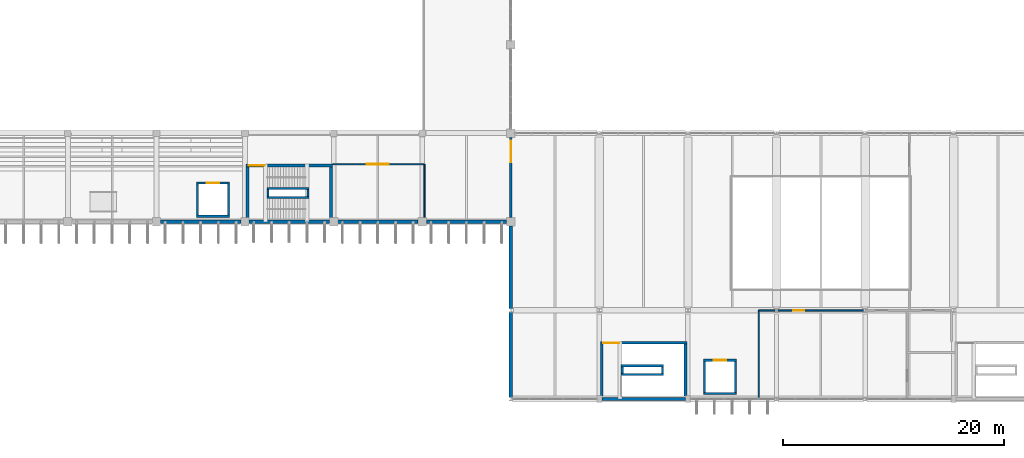
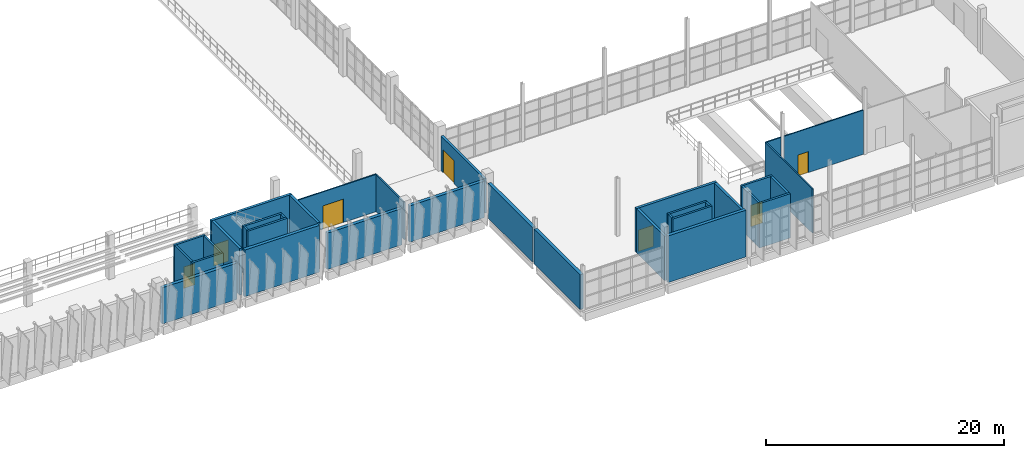
# One storey, part 70 of 93: 35 walls, 7 doors, 7 openings.
"""IFC4 building model written with IfcOpenShell, lengths in metres."""

from ifc_helpers import new_model, si_unit, direction, frame, frame_2d, origin, place, context, subcontext, project, spatial, rectangle, extrude, material, layer, layer_set, type_object, element, fill, save


model = new_model("IFC4")

# Units and contexts
model_context = context("Model", 3, precision=1e-05, world=origin(), true_north=direction((0.0, 1.0)))
body_context = subcontext(model_context, "Body", "Model", "MODEL_VIEW")
ifc_project = project(units=[si_unit("LENGTHUNIT", "METRE"), si_unit("AREAUNIT", "SQUARE_METRE"), si_unit("VOLUMEUNIT", "CUBIC_METRE"), si_unit("PLANEANGLEUNIT", "RADIAN"), si_unit("MASSUNIT", "GRAM", prefix="KILO")], contexts=[model_context])

# Site, building, storey
site_placement = place(None, origin())
site = spatial("IfcSite", under=ifc_project, at=site_placement, CompositionType="ELEMENT")
building_placement = place(site_placement, origin())
building = spatial("IfcBuilding", under=site, at=building_placement, Name="Drelvana Railside Aquatics Centre", CompositionType="ELEMENT")
storey_placement = place(building_placement, frame((0.0, 0.0, 5.39990234375)))
storey = spatial("IfcBuildingStorey", under=building, at=storey_placement, Name="L01", CompositionType="ELEMENT", Elevation=5.39990234375)

# Wall, opening, door
ifc_material_1 = material(Name="Autoclaved aerated concrete masonry", Category="masonry")
ifc_layer_1 = layer(ifc_material_1, 0.22509765625, Name="Autoclaved aerated concrete masonry")
ifc_layer_set_1 = layer_set([ifc_layer_1], Name="Autoclaved aerated concrete masonry")
wall_type_1 = type_object("IfcWallType", Name="WL-COMP-225", PredefinedType="STANDARD", material=ifc_layer_set_1)
wall_1_placement = place(storey_placement, frame((96.0, 16.376953125, 0.0), z_axis=(0.0, 0.0, 1.0), x_axis=(0.0, 1.0, 0.0)))
wall_1 = element("IfcWall", 1, at=wall_1_placement, inside=storey, type_object=wall_type_1, Name="L01 Foyer-Concourse wall", PredefinedType="STANDARD", context=body_context, shape_type="SweptSolid", body=[
    extrude(rectangle(XDim=7.24609375, YDim=0.22509765625, at=frame_2d((3.623046875, 0.0))), origin(), (0.0, 0.0, 1.0), 3.570068359375),
])
opening_1_placement = place(wall_1_placement, frame((5.02294921875, 0.0, 0.0)))
opening_1 = element("IfcOpeningElement", 2, at=opening_1_placement, cuts=wall_1, Name="Opening D-16-100", PredefinedType="OPENING", context=body_context, shape_type="SweptSolid", body=[
    extrude(rectangle(XDim=1.89990234375, YDim=2.35009765625, at=frame_2d((0.949951171875, 1.175048828125))), frame((0.0, 0.12255859375, 0.0), z_axis=(0.0, -1.0, 0.0), x_axis=(1.0, 0.0, 0.0)), (0.0, 0.0, 1.0), 0.2451171875),
])
ifc_material_2 = material(Name="Concourse compartment double door", Category="wood")
door_type_1 = type_object("IfcDoorType", Name="DR-INT-COMP-1900x2350", OperationType="DOUBLE_DOOR_SINGLE_SWING", PredefinedType="DOOR", material=ifc_material_2)
door_1_placement = place(opening_1_placement, origin())
door_1 = element("IfcDoor", 3, at=door_1_placement, inside=storey, type_object=door_type_1, Name="Hospitality to Spectator Concourse door D-16-100", OperationType="DOUBLE_DOOR_SINGLE_SWING", OverallHeight=2.35009765625, OverallWidth=1.89990234375, PredefinedType="DOOR", context=body_context, shape_type="SweptSolid", body=[
    extrude(rectangle(XDim=1.89990234375, YDim=2.35009765625, at=frame_2d((0.949951171875, 1.175048828125))), frame((0.0, 0.02490234375, 0.0), z_axis=(0.0, -1.0, 0.0), x_axis=(1.0, 0.0, 0.0)), (0.0, 0.0, 1.0), 0.050048828125),
])
fill(opening_1, door_1)

ifc_material_3 = material(Name="Concrete C40/50", Category="concrete")
ifc_layer_2 = layer(ifc_material_3, 0.25, Name="Concrete C40/50")
ifc_layer_set_2 = layer_set([ifc_layer_2], Name="Concrete C40/50")
wall_type_2 = type_object("IfcWallType", Name="WL-CORE-250", PredefinedType="SHEAR", material=ifc_layer_set_2)
wall_2_placement = place(storey_placement, frame((72.10009765625, 21.074951171875, 0.0), z_axis=(0.0, 0.0, 1.0), x_axis=(1.0, 0.0, 0.0)))
wall_2 = element("IfcWall", 4, at=wall_2_placement, inside=storey, type_object=wall_type_2, Name="Core 2 South-East Pool Hall N core wall (L01)", PredefinedType="SHEAR", context=body_context, shape_type="SweptSolid", body=[
    extrude(rectangle(XDim=7.7998046875, YDim=0.25, at=frame_2d((3.89990234375, 0.0))), origin(), (0.0, 0.0, 1.0), 4.800048828125),
])
opening_2_placement = place(wall_2_placement, frame((0.25, 0.0, 0.0)))
opening_2 = element("IfcOpeningElement", 5, at=opening_2_placement, cuts=wall_2, Name="Opening D-01-011", PredefinedType="OPENING", context=body_context, shape_type="SweptSolid", body=[
    extrude(rectangle(XDim=1.449951171875, YDim=2.199951171875, at=frame_2d((0.72509765625, 1.10009765625))), frame((0.0, 0.135009765625, 0.0), z_axis=(0.0, -1.0, 0.0), x_axis=(1.0, 0.0, 0.0)), (0.0, 0.0, 1.0), 0.27001953125),
])
ifc_material_4 = material(Name="Fire-rated steel and vision-panel door", Category="steel")
door_type_2 = type_object("IfcDoorType", Name="DR-INT-STAIR-1450x2200", OperationType="DOUBLE_DOOR_SINGLE_SWING", PredefinedType="DOOR", material=ifc_material_4)
door_2_placement = place(opening_2_placement, origin())
door_2 = element("IfcDoor", 6, at=door_2_placement, inside=storey, type_object=door_type_2, Name="Stair ST-02 lobby door D-01-011", OperationType="DOUBLE_DOOR_SINGLE_SWING", OverallHeight=2.199951171875, OverallWidth=1.449951171875, PredefinedType="DOOR", context=body_context, shape_type="SweptSolid", body=[
    extrude(rectangle(XDim=1.449951171875, YDim=2.199951171875, at=frame_2d((0.72509765625, 1.10009765625))), frame((0.0, 0.02490234375, 0.0), z_axis=(0.0, -1.0, 0.0), x_axis=(1.0, 0.0, 0.0)), (0.0, 0.0, 1.0), 0.050048828125),
])
fill(opening_2, door_2)

# Walls
for number, where, z_axis, x_axis, name in (
    (7, (72.22509765625, 16.25, 0.0), (0.0, 0.0, 1.0), (0.0, 1.0, 0.0), "Core 2 South-East Pool Hall W core wall (L01)"),
    (8, (79.77490234375, 16.25, 0.0), (0.0, 0.0, 1.0), (0.0, 1.0, 0.0), "Core 2 South-East Pool Hall E core wall (L01)"),
):
    element("IfcWall", number, at=place(storey_placement, frame(where, z_axis=z_axis, x_axis=x_axis)), inside=storey, type_object=wall_type_2, Name=name, PredefinedType="SHEAR", context=body_context, shape_type="SweptSolid", body=[
        extrude(rectangle(XDim=4.699951171875, YDim=0.25, at=frame_2d((2.35009765625, 0.0))), origin(), (0.0, 0.0, 1.0), 4.800048828125),
    ])

# Wall, opening, door
wall_3_placement = place(storey_placement, frame((104.10009765625, 5.074951171875, 0.0), z_axis=(0.0, 0.0, 1.0), x_axis=(1.0, 0.0, 0.0)))
wall_3 = element("IfcWall", 9, at=wall_3_placement, inside=storey, type_object=wall_type_2, Name="Core 4 Entrance Foyer South N core wall (L01)", PredefinedType="SHEAR", context=body_context, shape_type="SweptSolid", body=[
    extrude(rectangle(XDim=7.7998046875, YDim=0.25, at=frame_2d((3.89990234375, 0.0))), origin(), (0.0, 0.0, 1.0), 4.550048828125),
])
opening_3_placement = place(wall_3_placement, frame((0.25, 0.0, 0.0)))
opening_3 = element("IfcOpeningElement", 10, at=opening_3_placement, cuts=wall_3, Name="Opening D-01-027", PredefinedType="OPENING", context=body_context, shape_type="SweptSolid", body=[
    extrude(rectangle(XDim=1.449951171875, YDim=2.199951171875, at=frame_2d((0.72509765625, 1.10009765625))), frame((0.0, 0.135009765625, 0.0), z_axis=(0.0, -1.0, 0.0), x_axis=(1.0, 0.0, 0.0)), (0.0, 0.0, 1.0), 0.27001953125),
])
door_3_placement = place(opening_3_placement, origin())
door_3 = element("IfcDoor", 11, at=door_3_placement, inside=storey, type_object=door_type_2, Name="Stair ST-04 lobby door D-01-027", OperationType="DOUBLE_DOOR_SINGLE_SWING", OverallHeight=2.199951171875, OverallWidth=1.449951171875, PredefinedType="DOOR", context=body_context, shape_type="SweptSolid", body=[
    extrude(rectangle(XDim=1.449951171875, YDim=2.199951171875, at=frame_2d((0.72509765625, 1.10009765625))), frame((0.0, 0.02490234375, 0.0), z_axis=(0.0, -1.0, 0.0), x_axis=(1.0, 0.0, 0.0)), (0.0, 0.0, 1.0), 0.050048828125),
])
fill(opening_3, door_3)

# Walls
for number, where, z_axis, x_axis, name in (
    (12, (104.22509765625, 0.25, 0.0), (0.0, 0.0, 1.0), (0.0, 1.0, 0.0), "Core 4 Entrance Foyer South W core wall (L01)"),
    (13, (111.77490234375, 0.25, 0.0), (0.0, 0.0, 1.0), (0.0, 1.0, 0.0), "Core 4 Entrance Foyer South E core wall (L01)"),
):
    element("IfcWall", number, at=place(storey_placement, frame(where, z_axis=z_axis, x_axis=x_axis)), inside=storey, type_object=wall_type_2, Name=name, PredefinedType="SHEAR", context=body_context, shape_type="SweptSolid", body=[
        extrude(rectangle(XDim=4.699951171875, YDim=0.25, at=frame_2d((2.35009765625, 0.0))), origin(), (0.0, 0.0, 1.0), 4.550048828125),
    ])
ifc_layer_3 = layer(ifc_material_3, 0.300048828125, Name="Concrete C40/50")
ifc_layer_set_3 = layer_set([ifc_layer_3], Name="Concrete C40/50")
wall_type_3 = type_object("IfcWallType", Name="WL-CORE-300", PredefinedType="SHEAR", material=ifc_layer_set_3)
wall_4_placement = place(storey_placement, frame((72.37109375, 16.0, 0.0), z_axis=(0.0, 0.0, 1.0), x_axis=(1.0, 0.0, 0.0)))
element("IfcWall", 14, at=wall_4_placement, inside=storey, type_object=wall_type_3, Name="Pool Hall south L01 core shear wall 8", PredefinedType="SHEAR", context=body_context, shape_type="SweptSolid", body=[
    extrude(rectangle(XDim=7.2578125, YDim=0.300048828125, at=frame_2d((3.62890625, 0.0))), origin(), (0.0, 0.0, 1.0), 4.800048828125),
])
wall_5_placement = place(storey_placement, frame((104.220947265625, 0.0, 0.0), z_axis=(0.0, 0.0, 1.0), x_axis=(1.0, 0.0, 0.0)))
element("IfcWall", 15, at=wall_5_placement, inside=storey, type_object=wall_type_3, Name="Core south L01 shear wall 104", PredefinedType="SHEAR", context=body_context, shape_type="SweptSolid", body=[
    extrude(rectangle(XDim=7.55810546875, YDim=0.300048828125, at=frame_2d((3.779052734375, 0.0))), origin(), (0.0, 0.0, 1.0), 4.800048828125),
])

# Wall, opening, door
ifc_material_5 = material(Name="Acoustic twin-stud gypsum partition", Category="gypsum")
ifc_layer_4 = layer(ifc_material_5, 0.1201171875, Name="Acoustic twin-stud gypsum partition")
ifc_layer_set_4 = layer_set([ifc_layer_4], Name="Acoustic twin-stud gypsum partition")
wall_type_4 = type_object("IfcWallType", Name="WL-DRY-120", PredefinedType="PARTITIONING", material=ifc_layer_set_4)
wall_6_placement = place(storey_placement, frame((79.89990234375, 21.199951171875, 0.0), z_axis=(0.0, 0.0, 1.0), x_axis=(1.0, 0.0, 0.0)))
wall_6 = element("IfcWall", 16, at=wall_6_placement, inside=storey, type_object=wall_type_4, Name="L01 Kiosk north wall", PredefinedType="PARTITIONING", context=body_context, shape_type="SweptSolid", body=[
    extrude(rectangle(XDim=8.300048828125, YDim=0.1201171875, at=frame_2d((4.14990234375, 0.0))), origin(), (0.0, 0.0, 1.0), 3.830078125),
])
opening_4_placement = place(wall_6_placement, frame((3.10009765625, 0.0, 0.0)))
opening_4 = element("IfcOpeningElement", 17, at=opening_4_placement, cuts=wall_6, Name="Opening D-06-146", PredefinedType="OPENING", context=body_context, shape_type="SweptSolid", body=[
    extrude(rectangle(XDim=2.0, YDim=2.39990234375, at=frame_2d((1.0, 1.199951171875))), frame((0.0, 0.070068359375, 0.0), z_axis=(0.0, -1.0, 0.0), x_axis=(1.0, 0.0, 0.0)), (0.0, 0.0, 1.0), 0.14013671875),
])
ifc_material_6 = material(Name="Glazed bronze-aluminium concourse door", Category="aluminium")
door_type_3 = type_object("IfcDoorType", Name="DR-INT-HALL-2000x2400", OperationType="DOUBLE_DOOR_SINGLE_SWING", PredefinedType="DOOR", material=ifc_material_6)
door_4_placement = place(opening_4_placement, origin())
door_4 = element("IfcDoor", 18, at=door_4_placement, inside=storey, type_object=door_type_3, Name="Concourse Refreshment Kiosk door D-06-146", OperationType="DOUBLE_DOOR_SINGLE_SWING", OverallHeight=2.39990234375, OverallWidth=2.0, PredefinedType="DOOR", context=body_context, shape_type="SweptSolid", body=[
    extrude(rectangle(XDim=2.0, YDim=2.39990234375, at=frame_2d((1.0, 1.199951171875))), frame((0.0, 0.02490234375, 0.0), z_axis=(0.0, -1.0, 0.0), x_axis=(1.0, 0.0, 0.0)), (0.0, 0.0, 1.0), 0.050048828125),
])
fill(opening_4, door_4)

# Walls
wall_7_placement = place(storey_placement, frame((88.199951171875, 16.376953125, 0.0), z_axis=(0.0, 0.0, 1.0), x_axis=(0.0, 1.0, 0.0)))
element("IfcWall", 19, at=wall_7_placement, inside=storey, type_object=wall_type_4, Name="L01 Kiosk east wall", PredefinedType="PARTITIONING", context=body_context, shape_type="SweptSolid", body=[
    extrude(rectangle(XDim=4.822998046875, YDim=0.1201171875, at=frame_2d((2.41162109375, 0.0))), origin(), (0.0, 0.0, 1.0), 3.830078125),
])
wall_8_placement = place(storey_placement, frame((118.39990234375, 8.0, 0.0), z_axis=(0.0, 0.0, 1.0), x_axis=(1.0, 0.0, 0.0)))
element("IfcWall", 20, at=wall_8_placement, inside=storey, type_object=wall_type_4, Name="L01 Gallery south partition", PredefinedType="PARTITIONING", context=body_context, shape_type="SweptSolid", body=[
    extrude(rectangle(XDim=1.447998046875, YDim=0.1201171875, at=frame_2d((0.72412109375, 0.0))), origin(), (0.0, 0.0, 1.0), 4.53515625),
])

# Wall, opening, door
wall_9_placement = place(storey_placement, frame((120.152099609375, 8.0, 0.0), z_axis=(0.0, 0.0, 1.0), x_axis=(1.0, 0.0, 0.0)))
wall_9 = element("IfcWall", 21, at=wall_9_placement, inside=storey, type_object=wall_type_4, Name="L01 Gallery south partition", PredefinedType="PARTITIONING", context=body_context, shape_type="SweptSolid", body=[
    extrude(rectangle(XDim=7.69580078125, YDim=0.1201171875, at=frame_2d((3.847900390625, 0.0))), origin(), (0.0, 0.0, 1.0), 4.53515625),
])
opening_5_placement = place(wall_9_placement, frame((1.347900390625, 0.0, 0.0)))
opening_5 = element("IfcOpeningElement", 22, at=opening_5_placement, cuts=wall_9, Name="Opening D-09-148", PredefinedType="OPENING", context=body_context, shape_type="SweptSolid", body=[
    extrude(rectangle(XDim=1.0, YDim=2.14990234375, at=frame_2d((0.5, 1.074951171875))), frame((0.0, 0.070068359375, 0.0), z_axis=(0.0, -1.0, 0.0), x_axis=(1.0, 0.0, 0.0)), (0.0, 0.0, 1.0), 0.14013671875),
])
ifc_material_7 = material(Name="Hardwood acoustic room door", Category="wood")
door_type_4 = type_object("IfcDoorType", Name="DR-INT-ROOM-1000x2150", OperationType="NOTDEFINED", PredefinedType="DOOR", material=ifc_material_7)
door_5_placement = place(opening_5_placement, origin())
door_5 = element("IfcDoor", 23, at=door_5_placement, inside=storey, type_object=door_type_4, Name="Press Briefing Room west door D-09-148", OperationType="SINGLE_SWING_LEFT", OverallHeight=2.14990234375, OverallWidth=1.0, PredefinedType="DOOR", context=body_context, shape_type="SweptSolid", body=[
    extrude(rectangle(XDim=1.0, YDim=2.14990234375, at=frame_2d((0.5, 1.074951171875))), frame((0.0, 0.02490234375, 0.0), z_axis=(0.0, -1.0, 0.0), x_axis=(1.0, 0.0, 0.0)), (0.0, 0.0, 1.0), 0.050048828125),
])
fill(opening_5, door_5)

# Walls
wall_10_placement = place(storey_placement, frame((118.39990234375, 0.080078125, 0.0), z_axis=(0.0, 0.0, 1.0), x_axis=(0.0, 1.0, 0.0)))
element("IfcWall", 24, at=wall_10_placement, inside=storey, type_object=wall_type_4, Name="Press Briefing Room west wall", PredefinedType="PARTITIONING", context=body_context, shape_type="SweptSolid", body=[
    extrude(rectangle(XDim=7.919921875, YDim=0.1201171875, at=frame_2d((3.9599609375, 0.0))), origin(), (0.0, 0.0, 1.0), 4.53515625),
])
ifc_material_8 = material(Name="Terracotta rainscreen masonry wall", Category="masonry")
ifc_layer_5 = layer(ifc_material_8, 0.31005859375, Name="Terracotta rainscreen masonry wall")
ifc_layer_set_5 = layer_set([ifc_layer_5], Name="Terracotta rainscreen masonry wall")
wall_type_5 = type_object("IfcWallType", Name="WL-EXT-310", PredefinedType="STANDARD", material=ifc_layer_set_5)
for number, where, z_axis, x_axis, name in (
    (25, (64.37109375, 16.0, 0.0), (0.0, 0.0, 1.0), (1.0, 0.0, 0.0), "V1S L01 eyelid spandrel wall 7"),
    (26, (80.37109375, 16.0, 0.0), (0.0, 0.0, 1.0), (1.0, 0.0, 0.0), "V1S L01 eyelid spandrel wall 9"),
    (27, (88.37109375, 16.0, 0.0), (0.0, 0.0, 1.0), (1.0, 0.0, 0.0), "V1S L01 eyelid spandrel wall 10"),
):
    element("IfcWall", number, at=place(storey_placement, frame(where, z_axis=z_axis, x_axis=x_axis)), inside=storey, type_object=wall_type_5, Name=name, PredefinedType="STANDARD", context=body_context, shape_type="SweptSolid", body=[
        extrude(rectangle(XDim=7.2578125, YDim=0.31005859375, at=frame_2d((3.62890625, 0.0))), origin(), (0.0, 0.0, 1.0), 3.72998046875),
    ])
wall_11_placement = place(storey_placement, frame((96.0, 0.135986328125, 0.0), z_axis=(0.0, 0.0, 1.0), x_axis=(0.0, 1.0, 0.0)))
element("IfcWall", 28, at=wall_11_placement, inside=storey, type_object=wall_type_5, Name="Foyer side gable wall", PredefinedType="STANDARD", context=body_context, shape_type="SweptSolid", body=[
    extrude(rectangle(XDim=7.718017578125, YDim=0.31005859375, at=frame_2d((3.85888671875, 0.0))), origin(), (0.0, 0.0, 1.0), 3.570068359375),
])
wall_12_placement = place(storey_placement, frame((96.0, 8.14599609375, 0.0), z_axis=(0.0, 0.0, 1.0), x_axis=(0.0, 1.0, 0.0)))
element("IfcWall", 29, at=wall_12_placement, inside=storey, type_object=wall_type_5, Name="Foyer side gable wall", PredefinedType="STANDARD", context=body_context, shape_type="SweptSolid", body=[
    extrude(rectangle(XDim=7.48291015625, YDim=0.31005859375, at=frame_2d((3.741455078125, 0.0))), origin(), (0.0, 0.0, 1.0), 3.570068359375),
])
ifc_layer_6 = layer(ifc_material_3, 0.199951171875, Name="Concrete C40/50")
ifc_layer_set_6 = layer_set([ifc_layer_6], Name="Concrete C40/50")
wall_type_6 = type_object("IfcWallType", Name="WL-SHFT-200", PredefinedType="SHEAR", material=ifc_layer_set_6)
for number, where, z_axis, x_axis, name in (
    (30, (73.969970703125, 18.199951171875, 0.0), (0.0, 0.0, 1.0), (1.0, 0.0, 0.0), "Stair ST-02 central spine wall A (L01)"),
    (31, (73.969970703125, 19.0, 0.0), (0.0, 0.0, 1.0), (1.0, 0.0, 0.0), "Stair ST-02 central spine wall B (L01)"),
):
    element("IfcWall", number, at=place(storey_placement, frame(where, z_axis=z_axis, x_axis=x_axis)), inside=storey, type_object=wall_type_6, Name=name, PredefinedType="SHEAR", context=body_context, shape_type="SweptSolid", body=[
        extrude(rectangle(XDim=3.820068359375, YDim=0.199951171875, at=frame_2d((1.91015625, 0.0))), origin(), (0.0, 0.0, 1.0), 4.800048828125),
    ])
for number, where, z_axis, x_axis, name in (
    (32, (74.070068359375, 18.300048828125, 0.0), (0.0, 0.0, 1.0), (0.0, 1.0, 0.0), "Stair ST-02 central spine wall W (L01)"),
    (33, (77.68994140625, 18.300048828125, 0.0), (0.0, 0.0, 1.0), (0.0, 1.0, 0.0), "Stair ST-02 central spine wall E (L01)"),
):
    element("IfcWall", number, at=place(storey_placement, frame(where, z_axis=z_axis, x_axis=x_axis)), inside=storey, type_object=wall_type_6, Name=name, PredefinedType="SHEAR", context=body_context, shape_type="SweptSolid", body=[
        extrude(rectangle(XDim=0.599853515625, YDim=0.199951171875, at=frame_2d((0.2998046875, 0.0))), origin(), (0.0, 0.0, 1.0), 4.800048828125),
    ])
wall_13_placement = place(storey_placement, frame((67.60009765625, 16.5, 0.0), z_axis=(0.0, 0.0, 1.0), x_axis=(1.0, 0.0, 0.0)))
element("IfcWall", 34, at=wall_13_placement, inside=storey, type_object=wall_type_6, Name="Lift LP-02 S shaft wall (L01)", PredefinedType="SHEAR", context=body_context, shape_type="SweptSolid", body=[
    extrude(rectangle(XDim=3.0, YDim=0.199951171875, at=frame_2d((1.5, 0.0))), origin(), (0.0, 0.0, 1.0), 4.800048828125),
])

# Wall, opening, door
wall_14_placement = place(storey_placement, frame((67.60009765625, 19.5, 0.0), z_axis=(0.0, 0.0, 1.0), x_axis=(1.0, 0.0, 0.0)))
wall_14 = element("IfcWall", 35, at=wall_14_placement, inside=storey, type_object=wall_type_6, Name="Lift LP-02 N shaft wall (L01)", PredefinedType="SHEAR", context=body_context, shape_type="SweptSolid", body=[
    extrude(rectangle(XDim=3.0, YDim=0.199951171875, at=frame_2d((1.5, 0.0))), origin(), (0.0, 0.0, 1.0), 4.800048828125),
])
opening_6_placement = place(wall_14_placement, frame((0.949951171875, 0.0, 0.0)))
opening_6 = element("IfcOpeningElement", 36, at=opening_6_placement, cuts=wall_14, Name="Opening LD-01-015", PredefinedType="OPENING", context=body_context, shape_type="SweptSolid", body=[
    extrude(rectangle(XDim=1.10009765625, YDim=2.199951171875, at=frame_2d((0.550048828125, 1.10009765625))), frame((0.0, 0.10986328125, 0.0), z_axis=(0.0, -1.0, 0.0), x_axis=(1.0, 0.0, 0.0)), (0.0, 0.0, 1.0), 0.219970703125),
])
ifc_material_9 = material(Name="Stainless steel lift landing sliding door", Category="steel")
door_type_5 = type_object("IfcDoorType", Name="DR-LIFT-LD-1100x2200", OperationType="SLIDING_TO_LEFT", PredefinedType="DOOR", material=ifc_material_9)
door_6_placement = place(opening_6_placement, origin())
door_6 = element("IfcDoor", 37, at=door_6_placement, inside=storey, type_object=door_type_5, Name="Lift LP-02 landing door LD-01-015", OperationType="SLIDING_TO_LEFT", OverallHeight=2.199951171875, OverallWidth=1.10009765625, PredefinedType="DOOR", context=body_context, shape_type="SweptSolid", body=[
    extrude(rectangle(XDim=1.10009765625, YDim=2.199951171875, at=frame_2d((0.550048828125, 1.10009765625))), frame((0.0, 0.02490234375, 0.0), z_axis=(0.0, -1.0, 0.0), x_axis=(1.0, 0.0, 0.0)), (0.0, 0.0, 1.0), 0.050048828125),
])
fill(opening_6, door_6)

# Walls
for number, where, z_axis, x_axis, name in (
    (38, (67.699951171875, 16.60009765625, 0.0), (0.0, 0.0, 1.0), (0.0, 1.0, 0.0), "Lift LP-02 W shaft wall (L01)"),
    (39, (70.5, 16.60009765625, 0.0), (0.0, 0.0, 1.0), (0.0, 1.0, 0.0), "Lift LP-02 E shaft wall (L01)"),
):
    element("IfcWall", number, at=place(storey_placement, frame(where, z_axis=z_axis, x_axis=x_axis)), inside=storey, type_object=wall_type_6, Name=name, PredefinedType="SHEAR", context=body_context, shape_type="SweptSolid", body=[
        extrude(rectangle(XDim=2.7998046875, YDim=0.199951171875, at=frame_2d((1.39990234375, 0.0))), origin(), (0.0, 0.0, 1.0), 4.800048828125),
    ])
for number, where, z_axis, x_axis, name in (
    (40, (105.969970703125, 2.199951171875, 0.0), (0.0, 0.0, 1.0), (1.0, 0.0, 0.0), "Stair ST-04 central spine wall A (L01)"),
    (41, (105.969970703125, 3.0, 0.0), (0.0, 0.0, 1.0), (1.0, 0.0, 0.0), "Stair ST-04 central spine wall B (L01)"),
):
    element("IfcWall", number, at=place(storey_placement, frame(where, z_axis=z_axis, x_axis=x_axis)), inside=storey, type_object=wall_type_6, Name=name, PredefinedType="SHEAR", context=body_context, shape_type="SweptSolid", body=[
        extrude(rectangle(XDim=3.820068359375, YDim=0.199951171875, at=frame_2d((1.91015625, 0.0))), origin(), (0.0, 0.0, 1.0), 4.550048828125),
    ])
for number, where, z_axis, x_axis, name in (
    (42, (106.070068359375, 2.300048828125, 0.0), (0.0, 0.0, 1.0), (0.0, 1.0, 0.0), "Stair ST-04 central spine wall W (L01)"),
    (43, (109.68994140625, 2.300048828125, 0.0), (0.0, 0.0, 1.0), (0.0, 1.0, 0.0), "Stair ST-04 central spine wall E (L01)"),
):
    element("IfcWall", number, at=place(storey_placement, frame(where, z_axis=z_axis, x_axis=x_axis)), inside=storey, type_object=wall_type_6, Name=name, PredefinedType="SHEAR", context=body_context, shape_type="SweptSolid", body=[
        extrude(rectangle(XDim=0.599853515625, YDim=0.199951171875, at=frame_2d((0.2998046875, 0.0))), origin(), (0.0, 0.0, 1.0), 4.550048828125),
    ])
wall_15_placement = place(storey_placement, frame((113.39990234375, 0.5, 0.0), z_axis=(0.0, 0.0, 1.0), x_axis=(1.0, 0.0, 0.0)))
element("IfcWall", 44, at=wall_15_placement, inside=storey, type_object=wall_type_6, Name="Lift LP-03 S shaft wall (L01)", PredefinedType="SHEAR", context=body_context, shape_type="SweptSolid", body=[
    extrude(rectangle(XDim=3.0, YDim=0.199951171875, at=frame_2d((1.5, 0.0))), origin(), (0.0, 0.0, 1.0), 4.550048828125),
])

# Wall, opening, door
wall_16_placement = place(storey_placement, frame((113.39990234375, 3.5, 0.0), z_axis=(0.0, 0.0, 1.0), x_axis=(1.0, 0.0, 0.0)))
wall_16 = element("IfcWall", 45, at=wall_16_placement, inside=storey, type_object=wall_type_6, Name="Lift LP-03 N shaft wall (L01)", PredefinedType="SHEAR", context=body_context, shape_type="SweptSolid", body=[
    extrude(rectangle(XDim=3.0, YDim=0.199951171875, at=frame_2d((1.5, 0.0))), origin(), (0.0, 0.0, 1.0), 4.550048828125),
])
opening_7_placement = place(wall_16_placement, frame((0.949951171875, 0.0, 0.0)))
opening_7 = element("IfcOpeningElement", 46, at=opening_7_placement, cuts=wall_16, Name="Opening LD-01-030", PredefinedType="OPENING", context=body_context, shape_type="SweptSolid", body=[
    extrude(rectangle(XDim=1.10009765625, YDim=2.199951171875, at=frame_2d((0.550048828125, 1.10009765625))), frame((0.0, 0.10986328125, 0.0), z_axis=(0.0, -1.0, 0.0), x_axis=(1.0, 0.0, 0.0)), (0.0, 0.0, 1.0), 0.219970703125),
])
door_7_placement = place(opening_7_placement, origin())
door_7 = element("IfcDoor", 47, at=door_7_placement, inside=storey, type_object=door_type_5, Name="Lift LP-03 landing door LD-01-030", OperationType="SLIDING_TO_LEFT", OverallHeight=2.199951171875, OverallWidth=1.10009765625, PredefinedType="DOOR", context=body_context, shape_type="SweptSolid", body=[
    extrude(rectangle(XDim=1.10009765625, YDim=2.199951171875, at=frame_2d((0.550048828125, 1.10009765625))), frame((0.0, 0.02490234375, 0.0), z_axis=(0.0, -1.0, 0.0), x_axis=(1.0, 0.0, 0.0)), (0.0, 0.0, 1.0), 0.050048828125),
])
fill(opening_7, door_7)

# Walls
for number, where, z_axis, x_axis, name in (
    (48, (113.5, 0.60009765625, 0.0), (0.0, 0.0, 1.0), (0.0, 1.0, 0.0), "Lift LP-03 W shaft wall (L01)"),
    (49, (116.300048828125, 0.60009765625, 0.0), (0.0, 0.0, 1.0), (0.0, 1.0, 0.0), "Lift LP-03 E shaft wall (L01)"),
):
    element("IfcWall", number, at=place(storey_placement, frame(where, z_axis=z_axis, x_axis=x_axis)), inside=storey, type_object=wall_type_6, Name=name, PredefinedType="SHEAR", context=body_context, shape_type="SweptSolid", body=[
        extrude(rectangle(XDim=2.7998046875, YDim=0.199951171875, at=frame_2d((1.39990234375, 0.0))), origin(), (0.0, 0.0, 1.0), 4.550048828125),
    ])

save(model, "model.ifc")
